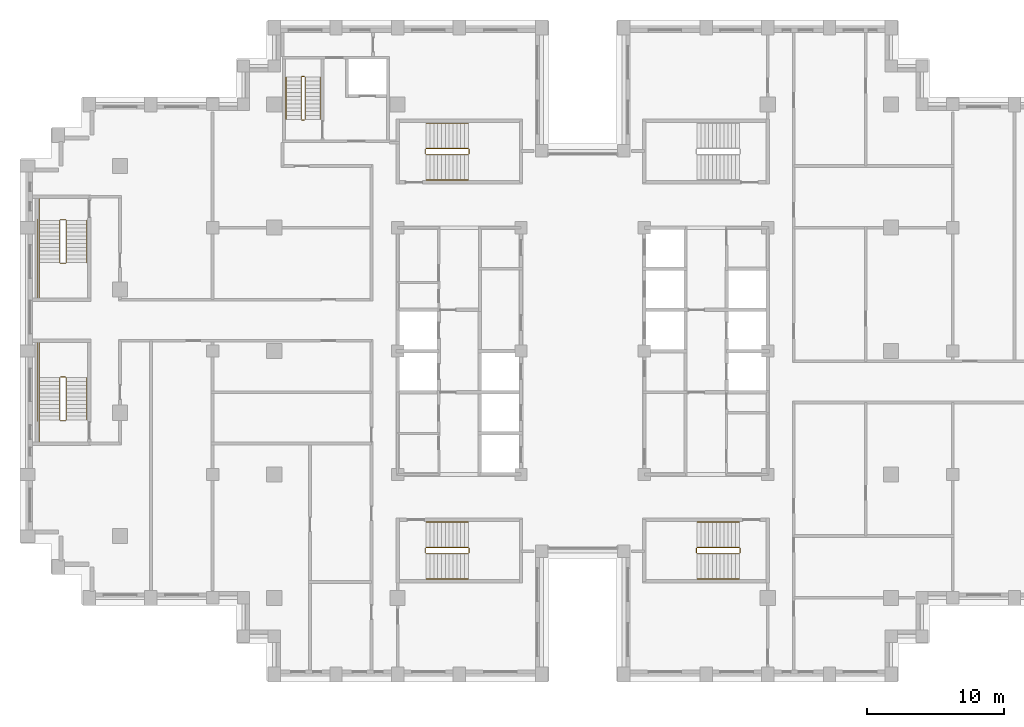
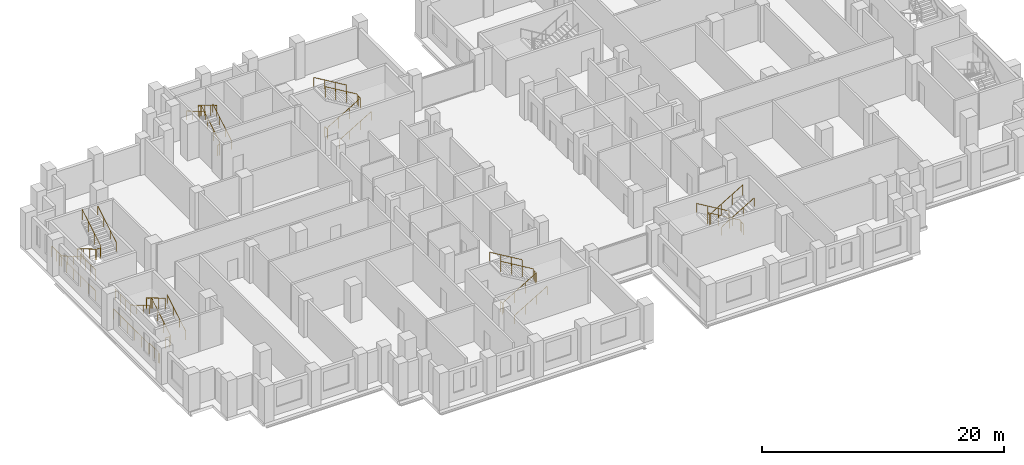
# One storey, part 14 of 15: 6 railings.
"""IFC4 building model written with IfcOpenShell, lengths in metres."""

import ifcopenshell
import ifcopenshell.guid

model = None  # the IFC model being written
_history = None  # IfcOwnerHistory: only IFC2X3 demands one
_inside = {}  # id of a spatial element -> (the spatial element, [elements in it])
_under = {}  # id of a project, library or spatial element -> (it, [spatial elements below it])
_declared = {}  # id of a project -> (the project, [libraries it declares])
_typed = {}  # id of a type object -> (the type object, [elements of that type])
_made_of = {}  # id of a material, layer set ... -> (it, [elements and type objects made of it])


def new_model(schema):
    """Start an empty IFC model of exactly this schema.

    Asked for "IFC4X3", IfcOpenShell would pick the latest addendum, in which some entities
    have other attributes; the version numbers below select the first issue.
    IFC2X3 requires an IfcOwnerHistory on every rooted entity: one is made here for all.
    """
    global model, _history
    if schema == "IFC4X3":
        model = ifcopenshell.file(schema_version=(4, 3, 0, 0))
    else:
        model = ifcopenshell.file(schema=schema)
    _inside.clear()
    _under.clear()
    _declared.clear()
    _typed.clear()
    _made_of.clear()
    _history = None
    if model.schema == "IFC2X3":
        org = make("IfcOrganization", Name="unknown")
        user = make(
            "IfcPersonAndOrganization",
            ThePerson=make("IfcPerson", FamilyName="unknown"),
            TheOrganization=org,
        )
        app = make(
            "IfcApplication",
            ApplicationDeveloper=org,
            Version="unknown",
            ApplicationFullName="unknown",
            ApplicationIdentifier="unknown",
        )
        _history = make(
            "IfcOwnerHistory",
            OwningUser=user,
            OwningApplication=app,
            ChangeAction="ADDED",
            CreationDate=0,
        )
    return model


def make(cls, **values):
    """One entity of the class cls with the attributes given. An attribute that is None is left unset."""
    return model.create_entity(
        cls, **{name: value for name, value in values.items() if value is not None}
    )


def rooted(cls, **values):
    """An entity with a GlobalId (a new one), such as an element, a storey or a relation."""
    return make(cls, GlobalId=ifcopenshell.guid.new(), OwnerHistory=_history, **values)


def si_unit(unit_type, name, prefix=None):
    """IfcSIUnit, for example si_unit("LENGTHUNIT", "METRE", prefix="MILLI")."""
    return make("IfcSIUnit", UnitType=unit_type, Prefix=prefix, Name=name)


def assignment(units):
    """IfcUnitAssignment: the units of a project."""
    return None if units is None else make("IfcUnitAssignment", Units=units)


def point(xyz):
    """IfcCartesianPoint."""
    return None if xyz is None else make("IfcCartesianPoint", Coordinates=xyz)


def direction(xyz):
    """IfcDirection."""
    return None if xyz is None else make("IfcDirection", DirectionRatios=xyz)


def frame(location, z_axis=None, x_axis=None):
    """IfcAxis2Placement3D, a coordinate frame: its origin and axes. An axis left out is left unset."""
    return make(
        "IfcAxis2Placement3D",
        Location=point(location),
        Axis=direction(z_axis),
        RefDirection=direction(x_axis),
    )


def frame_2d(location, x_axis=None):
    """IfcAxis2Placement2D, a coordinate frame in the plane: its origin and x axis."""
    return make(
        "IfcAxis2Placement2D", Location=point(location), RefDirection=direction(x_axis)
    )


def origin():
    """The frame at (0, 0, 0) with its axes left unset."""
    return frame((0.0, 0.0, 0.0))


def origin_2d():
    """The frame at (0, 0) in the plane with its x axis left unset."""
    return frame_2d((0.0, 0.0))


def place(relative_to, where):
    """IfcLocalPlacement: puts the frame where relative to a parent placement (None: the world)."""
    return make(
        "IfcLocalPlacement", PlacementRelTo=relative_to, RelativePlacement=where
    )


def context(
    kind, dimensions, precision=None, world=None, true_north=None, identifier=None
):
    """IfcGeometricRepresentationContext, for example the 3D "Model" context."""
    return make(
        "IfcGeometricRepresentationContext",
        ContextIdentifier=identifier,
        ContextType=kind,
        CoordinateSpaceDimension=dimensions,
        Precision=precision,
        WorldCoordinateSystem=world,
        TrueNorth=true_north,
    )


def subcontext(parent, identifier, kind, view, scale=None):
    """IfcGeometricRepresentationSubContext, for example "Body" below "Model"."""
    return make(
        "IfcGeometricRepresentationSubContext",
        ContextIdentifier=identifier,
        ContextType=kind,
        ParentContext=parent,
        TargetScale=scale,
        TargetView=view,
    )


def project(units=None, contexts=None):
    """IfcProject with its units and contexts."""
    return rooted(
        "IfcProject",
        Name="project",
        RepresentationContexts=contexts,
        UnitsInContext=assignment(units),
    )


def spatial(cls, under=None, at=None, **own):
    """A site, building, storey or space (cls), placed at a placement, below another one or the project."""
    s = rooted(cls, ObjectPlacement=at, **own)
    if under is not None:
        _under.setdefault(under.id(), (under, []))[1].append(s)
    return s


def profile(cls, at=None, kind="AREA", **sizes):
    """A parametric profile (cls). Its sizes go by their IFC names, for example OverallWidth=200.0."""
    return make(cls, ProfileType=kind, Position=at, **sizes)


def circle(**sizes):
    """IfcCircleProfileDef."""
    return profile("IfcCircleProfileDef", **sizes)


def extrude(swept, where, along, depth):
    """IfcExtrudedAreaSolid: the profile swept, set in the frame where, extruded along a direction by depth."""
    return make(
        "IfcExtrudedAreaSolid",
        SweptArea=swept,
        Position=where,
        ExtrudedDirection=direction(along),
        Depth=depth,
    )


def shape(context_of_items, identifier, shape_type, items):
    """IfcShapeRepresentation: the items that make up one representation, for example the "Body"."""
    return make(
        "IfcShapeRepresentation",
        ContextOfItems=context_of_items,
        RepresentationIdentifier=identifier,
        RepresentationType=shape_type,
        Items=items,
    )


def material(Name=None, Category=None):
    """IfcMaterial."""
    return make("IfcMaterial", Name=Name, Category=Category)


def made_of(thing, what):
    """Note that an element or type object is made of a material, layer set ...; save() writes the relation."""
    if what is not None:
        _made_of.setdefault(what.id(), (what, []))[1].append(thing)
    return thing


def type_object(cls, material=None, **own):
    """A type object (cls), such as IfcWallType, which elements share."""
    return made_of(rooted(cls, **own), material)


def element(
    cls,
    number,
    at=None,
    inside=None,
    cuts=None,
    type_object=None,
    material=None,
    context=None,
    identifier="Body",
    shape_type=None,
    held_by="IfcProductDefinitionShape",
    body=None,
    shapes=None,
    **own,
):
    """One element of the class cls, such as IfcWall. Its Tag is "e" and its number.

    at: its placement. inside: the storey or other place that contains it. cuts: it is an
    opening in that element (IfcRelVoidsElement). A single representation is given by context,
    identifier, shape_type and body (its items); several are given by shapes. held_by: the class
    of the entity that holds the representations. save() writes the other relations.
    """
    e = rooted(cls, Tag="e%d" % number, ObjectPlacement=at, **own)
    if body is not None:
        shapes = [shape(context, identifier, shape_type, body)]
    if shapes is not None:
        e.Representation = make(held_by, Representations=shapes)
    if inside is not None:
        _inside.setdefault(inside.id(), (inside, []))[1].append(e)
    if cuts is not None:
        rooted(
            "IfcRelVoidsElement", RelatingBuildingElement=cuts, RelatedOpeningElement=e
        )
    if type_object is not None:
        _typed.setdefault(type_object.id(), (type_object, []))[1].append(e)
    return made_of(e, material)


def aggregate(whole, parts):
    """IfcRelAggregates: a whole, such as a stair, and the parts it consists of."""
    return rooted("IfcRelAggregates", RelatingObject=whole, RelatedObjects=parts)


def save(model, path):
    """Write the relations noted so far, then the file.

    IfcRelAggregates (storeys below a building ...), IfcRelContainedInSpatialStructure (elements
    in a storey), IfcRelDefinesByType, IfcRelAssociatesMaterial and IfcRelDeclares: one each for
    every whole, place, type object, material and project.
    """
    for whole, parts in _under.values():
        aggregate(whole, parts)
    for where, things in _inside.values():
        rooted(
            "IfcRelContainedInSpatialStructure",
            RelatedElements=things,
            RelatingStructure=where,
        )
    for kind, things in _typed.values():
        rooted("IfcRelDefinesByType", RelatedObjects=things, RelatingType=kind)
    for what, things in _made_of.values():
        rooted("IfcRelAssociatesMaterial", RelatedObjects=things, RelatingMaterial=what)
    for by, libraries in _declared.values():
        rooted("IfcRelDeclares", RelatingContext=by, RelatedDefinitions=libraries)
    model.write(path)


model = new_model("IFC4")

# Units and contexts
model_context = context("Model", 3, precision=1e-05, world=origin(), true_north=direction((0.0, 1.0)))
body_context = subcontext(model_context, "Body", "Model", "MODEL_VIEW")
ifc_project = project(units=[si_unit("LENGTHUNIT", "METRE"), si_unit("AREAUNIT", "SQUARE_METRE"), si_unit("VOLUMEUNIT", "CUBIC_METRE"), si_unit("PLANEANGLEUNIT", "RADIAN"), si_unit("MASSUNIT", "GRAM", prefix="KILO")], contexts=[model_context])

# Site, building, storey
site_placement = place(None, origin())
site = spatial("IfcSite", under=ifc_project, at=site_placement, CompositionType="ELEMENT")
building_placement = place(site_placement, origin())
building = spatial("IfcBuilding", under=site, at=building_placement, Name="Corbelhall Arena Tower", CompositionType="ELEMENT")
storey_placement = place(building_placement, frame((0.0, 0.0, 134.0)))
storey = spatial("IfcBuildingStorey", under=building, at=storey_placement, Name="L25", CompositionType="ELEMENT", Elevation=134.0)

# Railings
ifc_material = material(Name="Steel ASTM A500 Gr C", Category="steel")
railing_type = type_object("IfcRailingType", Name="IN-GD-1100", PredefinedType="GUARDRAIL", material=ifc_material)
railing_1_placement = place(storey_placement, frame((-11.425048828125, 14.324951171875, 0.166748046875)))
element("IfcRailing", 1, at=railing_1_placement, inside=storey, type_object=railing_type, Name="L25 ST1 stair guards and handrails", PredefinedType="GUARDRAIL", context=body_context, shape_type="SweptSolid", body=[
    extrude(circle(Radius=0.02392578125, at=origin_2d()), frame((0.0, 0.0, 1.076171875), z_axis=(0.859308565015, 0.0, 0.511457515432), x_axis=(0.0, 1.0, 0.0)), (0.0, 0.0, 1.0), 3.58447265625),
    extrude(circle(Radius=0.02392578125, at=origin_2d()), frame((3.130126953125, 0.050048828125, 2.9091796875), z_axis=(0.0, 1.0, 0.0), x_axis=(-1.0, 0.0, 0.0)), (0.0, 0.0, 1.0), 0.35009765625),
    extrude(circle(Radius=0.02392578125, at=origin_2d()), frame((3.080078125, 0.449951171875, 3.076171875), z_axis=(-0.859308565015, 0.0, 0.511457515432), x_axis=(0.0, -1.0, 0.0)), (0.0, 0.0, 1.0), 3.58447265625),
    extrude(circle(Radius=0.02392578125, at=origin_2d()), frame((-0.050048828125, 0.050048828125, 0.9091796875), z_axis=(0.0, 1.0, 0.0), x_axis=(-1.0, 0.0, 0.0)), (0.0, 0.0, 1.0), 0.35009765625),
    extrude(circle(Radius=0.02392578125, at=origin_2d()), frame((0.0, -1.849853515625, 0.8759765625), z_axis=(0.859308565015, 0.0, 0.511457515432), x_axis=(0.0, 1.0, 0.0)), (0.0, 0.0, 1.0), 3.58447265625),
    extrude(circle(Radius=0.02392578125, at=origin_2d()), frame((3.080078125, 2.300048828125, 2.8759765625), z_axis=(-0.859308565015, 0.0, 0.511457515432), x_axis=(0.0, -1.0, 0.0)), (0.0, 0.0, 1.0), 3.58447265625),
    extrude(circle(Radius=0.02099609375, at=origin_2d()), origin(), (0.0, 0.0, 1.0), 1.052001953125),
    extrude(circle(Radius=0.02099609375, at=origin_2d()), frame((1.026611328125, 0.0, 0.611083984375)), (0.0, 0.0, 1.0), 1.052001953125),
    extrude(circle(Radius=0.02099609375, at=origin_2d()), frame((2.053466796875, 0.0, 1.22216796875)), (0.0, 0.0, 1.0), 1.052001953125),
    extrude(circle(Radius=0.02099609375, at=origin_2d()), frame((3.080078125, 0.0, 1.833251953125)), (0.0, 0.0, 1.0), 1.052001953125),
    extrude(circle(Radius=0.02099609375, at=origin_2d()), frame((3.130126953125, 0.050048828125, 1.833251953125)), (0.0, 0.0, 1.0), 1.052001953125),
    extrude(circle(Radius=0.02099609375, at=origin_2d()), frame((3.130126953125, 0.400146484375, 1.833251953125)), (0.0, 0.0, 1.0), 1.052001953125),
    extrude(circle(Radius=0.02099609375, at=origin_2d()), frame((3.080078125, 0.449951171875, 2.0)), (0.0, 0.0, 1.0), 1.052001953125),
    extrude(circle(Radius=0.02099609375, at=origin_2d()), frame((2.053466796875, 0.449951171875, 2.611083984375)), (0.0, 0.0, 1.0), 1.052001953125),
    extrude(circle(Radius=0.02099609375, at=origin_2d()), frame((1.026611328125, 0.449951171875, 3.22216796875)), (0.0, 0.0, 1.0), 1.052001953125),
    extrude(circle(Radius=0.02099609375, at=origin_2d()), frame((0.0, 0.449951171875, 3.833251953125)), (0.0, 0.0, 1.0), 1.052001953125),
    extrude(circle(Radius=0.02099609375, at=origin_2d()), frame((-0.050048828125, 0.050048828125, -0.166748046875)), (0.0, 0.0, 1.0), 1.052001953125),
    extrude(circle(Radius=0.02099609375, at=origin_2d()), frame((-0.050048828125, 0.400146484375, -0.166748046875)), (0.0, 0.0, 1.0), 1.052001953125),
    extrude(circle(Radius=0.02099609375, at=origin_2d()), frame((0.0, -1.849853515625, 0.0)), (0.0, 0.0, 1.0), 0.851806640625),
    extrude(circle(Radius=0.02099609375, at=origin_2d()), frame((1.026611328125, -1.849853515625, 0.611083984375)), (0.0, 0.0, 1.0), 0.851806640625),
    extrude(circle(Radius=0.02099609375, at=origin_2d()), frame((2.053466796875, -1.849853515625, 1.22216796875)), (0.0, 0.0, 1.0), 0.851806640625),
    extrude(circle(Radius=0.02099609375, at=origin_2d()), frame((3.080078125, -1.849853515625, 1.833251953125)), (0.0, 0.0, 1.0), 0.851806640625),
    extrude(circle(Radius=0.02099609375, at=origin_2d()), frame((3.080078125, 2.300048828125, 2.0)), (0.0, 0.0, 1.0), 0.851806640625),
    extrude(circle(Radius=0.02099609375, at=origin_2d()), frame((2.053466796875, 2.300048828125, 2.611083984375)), (0.0, 0.0, 1.0), 0.851806640625),
    extrude(circle(Radius=0.02099609375, at=origin_2d()), frame((1.026611328125, 2.300048828125, 3.22216796875)), (0.0, 0.0, 1.0), 0.851806640625),
    extrude(circle(Radius=0.02099609375, at=origin_2d()), frame((0.0, 2.300048828125, 3.833251953125)), (0.0, 0.0, 1.0), 0.851806640625),
])
railing_2_placement = place(storey_placement, frame((-11.425048828125, -14.77490234375, 0.166748046875)))
element("IfcRailing", 2, at=railing_2_placement, inside=storey, type_object=railing_type, Name="L25 ST2 stair guards and handrails", PredefinedType="GUARDRAIL", context=body_context, shape_type="SweptSolid", body=[
    extrude(circle(Radius=0.02392578125, at=origin_2d()), frame((0.0, 0.0, 1.076171875), z_axis=(0.859308565015, 0.0, 0.511457515432), x_axis=(0.0, 1.0, 0.0)), (0.0, 0.0, 1.0), 3.58447265625),
    extrude(circle(Radius=0.02392578125, at=origin_2d()), frame((3.130126953125, 0.0498046875, 2.9091796875), z_axis=(0.0, 1.0, 0.0), x_axis=(-1.0, 0.0, 0.0)), (0.0, 0.0, 1.0), 0.35009765625),
    extrude(circle(Radius=0.02392578125, at=origin_2d()), frame((3.080078125, 0.449951171875, 3.076171875), z_axis=(-0.859308565015, 0.0, 0.511457515432), x_axis=(0.0, -1.0, 0.0)), (0.0, 0.0, 1.0), 3.58447265625),
    extrude(circle(Radius=0.02392578125, at=origin_2d()), frame((-0.050048828125, 0.0498046875, 0.9091796875), z_axis=(0.0, 1.0, 0.0), x_axis=(-1.0, 0.0, 0.0)), (0.0, 0.0, 1.0), 0.35009765625),
    extrude(circle(Radius=0.02392578125, at=origin_2d()), frame((0.0, -1.85009765625, 0.8759765625), z_axis=(0.859308565015, 0.0, 0.511457515432), x_axis=(0.0, 1.0, 0.0)), (0.0, 0.0, 1.0), 3.58447265625),
    extrude(circle(Radius=0.02392578125, at=origin_2d()), frame((3.080078125, 2.2998046875, 2.8759765625), z_axis=(-0.859308565015, 0.0, 0.511457515432), x_axis=(0.0, -1.0, 0.0)), (0.0, 0.0, 1.0), 3.58447265625),
    extrude(circle(Radius=0.02099609375, at=origin_2d()), origin(), (0.0, 0.0, 1.0), 1.052001953125),
    extrude(circle(Radius=0.02099609375, at=origin_2d()), frame((1.026611328125, 0.0, 0.611083984375)), (0.0, 0.0, 1.0), 1.052001953125),
    extrude(circle(Radius=0.02099609375, at=origin_2d()), frame((2.053466796875, 0.0, 1.22216796875)), (0.0, 0.0, 1.0), 1.052001953125),
    extrude(circle(Radius=0.02099609375, at=origin_2d()), frame((3.080078125, 0.0, 1.833251953125)), (0.0, 0.0, 1.0), 1.052001953125),
    extrude(circle(Radius=0.02099609375, at=origin_2d()), frame((3.130126953125, 0.0498046875, 1.833251953125)), (0.0, 0.0, 1.0), 1.052001953125),
    extrude(circle(Radius=0.02099609375, at=origin_2d()), frame((3.130126953125, 0.39990234375, 1.833251953125)), (0.0, 0.0, 1.0), 1.052001953125),
    extrude(circle(Radius=0.02099609375, at=origin_2d()), frame((3.080078125, 0.449951171875, 2.0)), (0.0, 0.0, 1.0), 1.052001953125),
    extrude(circle(Radius=0.02099609375, at=origin_2d()), frame((2.053466796875, 0.449951171875, 2.611083984375)), (0.0, 0.0, 1.0), 1.052001953125),
    extrude(circle(Radius=0.02099609375, at=origin_2d()), frame((1.026611328125, 0.449951171875, 3.22216796875)), (0.0, 0.0, 1.0), 1.052001953125),
    extrude(circle(Radius=0.02099609375, at=origin_2d()), frame((0.0, 0.449951171875, 3.833251953125)), (0.0, 0.0, 1.0), 1.052001953125),
    extrude(circle(Radius=0.02099609375, at=origin_2d()), frame((-0.050048828125, 0.0498046875, -0.166748046875)), (0.0, 0.0, 1.0), 1.052001953125),
    extrude(circle(Radius=0.02099609375, at=origin_2d()), frame((-0.050048828125, 0.39990234375, -0.166748046875)), (0.0, 0.0, 1.0), 1.052001953125),
    extrude(circle(Radius=0.02099609375, at=origin_2d()), frame((0.0, -1.85009765625, 0.0)), (0.0, 0.0, 1.0), 0.851806640625),
    extrude(circle(Radius=0.02099609375, at=origin_2d()), frame((1.026611328125, -1.85009765625, 0.611083984375)), (0.0, 0.0, 1.0), 0.851806640625),
    extrude(circle(Radius=0.02099609375, at=origin_2d()), frame((2.053466796875, -1.85009765625, 1.22216796875)), (0.0, 0.0, 1.0), 0.851806640625),
    extrude(circle(Radius=0.02099609375, at=origin_2d()), frame((3.080078125, -1.85009765625, 1.833251953125)), (0.0, 0.0, 1.0), 0.851806640625),
    extrude(circle(Radius=0.02099609375, at=origin_2d()), frame((3.080078125, 2.2998046875, 2.0)), (0.0, 0.0, 1.0), 0.851806640625),
    extrude(circle(Radius=0.02099609375, at=origin_2d()), frame((2.053466796875, 2.2998046875, 2.611083984375)), (0.0, 0.0, 1.0), 0.851806640625),
    extrude(circle(Radius=0.02099609375, at=origin_2d()), frame((1.026611328125, 2.2998046875, 3.22216796875)), (0.0, 0.0, 1.0), 0.851806640625),
    extrude(circle(Radius=0.02099609375, at=origin_2d()), frame((0.0, 2.2998046875, 3.833251953125)), (0.0, 0.0, 1.0), 0.851806640625),
])
railing_3_placement = place(storey_placement, frame((11.425048828125, -14.324951171875, 0.166748046875)))
element("IfcRailing", 3, at=railing_3_placement, inside=storey, type_object=railing_type, Name="L25 ST4 stair guards and handrails", PredefinedType="GUARDRAIL", context=body_context, shape_type="SweptSolid", body=[
    extrude(circle(Radius=0.02392578125, at=origin_2d()), frame((0.0, 0.0, 1.076171875), z_axis=(-0.859308565015, 0.0, 0.511457515432), x_axis=(0.0, -1.0, 0.0)), (0.0, 0.0, 1.0), 3.58447265625),
    extrude(circle(Radius=0.02392578125, at=origin_2d()), frame((-3.130126953125, -0.050048828125, 2.9091796875), z_axis=(0.0, -1.0, 0.0), x_axis=(1.0, 0.0, 0.0)), (0.0, 0.0, 1.0), 0.35009765625),
    extrude(circle(Radius=0.02392578125, at=origin_2d()), frame((-3.080078125, -0.449951171875, 3.076171875), z_axis=(0.859308565015, 0.0, 0.511457515432), x_axis=(0.0, 1.0, 0.0)), (0.0, 0.0, 1.0), 3.58447265625),
    extrude(circle(Radius=0.02392578125, at=origin_2d()), frame((0.050048828125, -0.050048828125, 0.9091796875), z_axis=(0.0, -1.0, 0.0), x_axis=(1.0, 0.0, 0.0)), (0.0, 0.0, 1.0), 0.35009765625),
    extrude(circle(Radius=0.02392578125, at=origin_2d()), frame((0.0, 1.849853515625, 0.8759765625), z_axis=(-0.859308565015, 0.0, 0.511457515432), x_axis=(0.0, -1.0, 0.0)), (0.0, 0.0, 1.0), 3.58447265625),
    extrude(circle(Radius=0.02392578125, at=origin_2d()), frame((-3.080078125, -2.300048828125, 2.8759765625), z_axis=(0.859308565015, 0.0, 0.511457515432), x_axis=(0.0, 1.0, 0.0)), (0.0, 0.0, 1.0), 3.58447265625),
    extrude(circle(Radius=0.02099609375, at=origin_2d()), origin(), (0.0, 0.0, 1.0), 1.052001953125),
    extrude(circle(Radius=0.02099609375, at=origin_2d()), frame((-1.026611328125, 0.0, 0.611083984375)), (0.0, 0.0, 1.0), 1.052001953125),
    extrude(circle(Radius=0.02099609375, at=origin_2d()), frame((-2.053466796875, 0.0, 1.22216796875)), (0.0, 0.0, 1.0), 1.052001953125),
    extrude(circle(Radius=0.02099609375, at=origin_2d()), frame((-3.080078125, 0.0, 1.833251953125)), (0.0, 0.0, 1.0), 1.052001953125),
    extrude(circle(Radius=0.02099609375, at=origin_2d()), frame((-3.130126953125, -0.050048828125, 1.833251953125)), (0.0, 0.0, 1.0), 1.052001953125),
    extrude(circle(Radius=0.02099609375, at=origin_2d()), frame((-3.130126953125, -0.400146484375, 1.833251953125)), (0.0, 0.0, 1.0), 1.052001953125),
    extrude(circle(Radius=0.02099609375, at=origin_2d()), frame((-3.080078125, -0.449951171875, 2.0)), (0.0, 0.0, 1.0), 1.052001953125),
    extrude(circle(Radius=0.02099609375, at=origin_2d()), frame((-2.053466796875, -0.449951171875, 2.611083984375)), (0.0, 0.0, 1.0), 1.052001953125),
    extrude(circle(Radius=0.02099609375, at=origin_2d()), frame((-1.026611328125, -0.449951171875, 3.22216796875)), (0.0, 0.0, 1.0), 1.052001953125),
    extrude(circle(Radius=0.02099609375, at=origin_2d()), frame((0.0, -0.449951171875, 3.833251953125)), (0.0, 0.0, 1.0), 1.052001953125),
    extrude(circle(Radius=0.02099609375, at=origin_2d()), frame((0.050048828125, -0.050048828125, -0.166748046875)), (0.0, 0.0, 1.0), 1.052001953125),
    extrude(circle(Radius=0.02099609375, at=origin_2d()), frame((0.050048828125, -0.400146484375, -0.166748046875)), (0.0, 0.0, 1.0), 1.052001953125),
    extrude(circle(Radius=0.02099609375, at=origin_2d()), frame((0.0, 1.849853515625, 0.0)), (0.0, 0.0, 1.0), 0.851806640625),
    extrude(circle(Radius=0.02099609375, at=origin_2d()), frame((-1.026611328125, 1.849853515625, 0.611083984375)), (0.0, 0.0, 1.0), 0.851806640625),
    extrude(circle(Radius=0.02099609375, at=origin_2d()), frame((-2.053466796875, 1.849853515625, 1.22216796875)), (0.0, 0.0, 1.0), 0.851806640625),
    extrude(circle(Radius=0.02099609375, at=origin_2d()), frame((-3.080078125, 1.849853515625, 1.833251953125)), (0.0, 0.0, 1.0), 0.851806640625),
    extrude(circle(Radius=0.02099609375, at=origin_2d()), frame((-3.080078125, -2.300048828125, 2.0)), (0.0, 0.0, 1.0), 0.851806640625),
    extrude(circle(Radius=0.02099609375, at=origin_2d()), frame((-2.053466796875, -2.300048828125, 2.611083984375)), (0.0, 0.0, 1.0), 0.851806640625),
    extrude(circle(Radius=0.02099609375, at=origin_2d()), frame((-1.026611328125, -2.300048828125, 3.22216796875)), (0.0, 0.0, 1.0), 0.851806640625),
    extrude(circle(Radius=0.02099609375, at=origin_2d()), frame((0.0, -2.300048828125, 3.833251953125)), (0.0, 0.0, 1.0), 0.851806640625),
])
railing_4_placement = place(storey_placement, frame((-38.14990234375, 9.52490234375, 0.166748046875)))
element("IfcRailing", 4, at=railing_4_placement, inside=storey, type_object=railing_type, Name="L25 SC1 stair guards and handrails", PredefinedType="GUARDRAIL", context=body_context, shape_type="SweptSolid", body=[
    extrude(circle(Radius=0.02392578125, at=origin_2d()), frame((0.0, 0.0, 1.076171875), z_axis=(0.0, -0.859290745958, 0.51148745235), x_axis=(1.0, 0.0, 0.0)), (0.0, 0.0, 1.0), 3.584228515625),
    extrude(circle(Radius=0.02392578125, at=origin_2d()), frame((0.0498046875, -3.1298828125, 2.9091796875), z_axis=(1.0, 0.0, 0.0), x_axis=(0.0, 1.0, 0.0)), (0.0, 0.0, 1.0), 0.375),
    extrude(circle(Radius=0.02392578125, at=origin_2d()), frame((-1.5, -3.079833984375, 2.9091796875), z_axis=(0.0, -1.0, 0.0), x_axis=(1.0, 0.0, 0.0)), (0.0, 0.0, 1.0), 2.570068359375),
    extrude(circle(Radius=0.02392578125, at=origin_2d()), frame((0.474853515625, -3.079833984375, 3.076171875), z_axis=(0.0, 0.859290745958, 0.51148745235), x_axis=(-1.0, 0.0, 0.0)), (0.0, 0.0, 1.0), 3.584228515625),
    extrude(circle(Radius=0.02392578125, at=origin_2d()), frame((0.0498046875, 0.050048828125, 0.9091796875), z_axis=(1.0, 0.0, 0.0), x_axis=(0.0, 1.0, 0.0)), (0.0, 0.0, 1.0), 0.375),
    extrude(circle(Radius=0.02392578125, at=origin_2d()), frame((-1.5, 1.60009765625, 0.9091796875), z_axis=(0.0, -1.0, 0.0), x_axis=(1.0, 0.0, 0.0)), (0.0, 0.0, 1.0), 1.60009765625),
    extrude(circle(Radius=0.02392578125, at=origin_2d()), frame((-1.60009765625, 0.10009765625, 0.9091796875), z_axis=(0.0, -1.0, 0.0), x_axis=(1.0, 0.0, 0.0)), (0.0, 0.0, 1.0), 5.85009765625),
    extrude(circle(Radius=0.02392578125, at=origin_2d()), frame((-1.5, 0.0, 0.8759765625), z_axis=(0.0, -0.859290745958, 0.51148745235), x_axis=(1.0, 0.0, 0.0)), (0.0, 0.0, 1.0), 3.584228515625),
    extrude(circle(Radius=0.02392578125, at=origin_2d()), frame((1.974853515625, -3.079833984375, 2.8759765625), z_axis=(0.0, 0.859290745958, 0.51148745235), x_axis=(-1.0, 0.0, 0.0)), (0.0, 0.0, 1.0), 3.584228515625),
    extrude(circle(Radius=0.02099609375, at=origin_2d()), origin(), (0.0, 0.0, 1.0), 1.052001953125),
    extrude(circle(Radius=0.02099609375, at=origin_2d()), frame((0.0, -1.026611328125, 0.611083984375)), (0.0, 0.0, 1.0), 1.052001953125),
    extrude(circle(Radius=0.02099609375, at=origin_2d()), frame((0.0, -2.05322265625, 1.22216796875)), (0.0, 0.0, 1.0), 1.052001953125),
    extrude(circle(Radius=0.02099609375, at=origin_2d()), frame((0.0, -3.079833984375, 1.833251953125)), (0.0, 0.0, 1.0), 1.052001953125),
    extrude(circle(Radius=0.02099609375, at=origin_2d()), frame((0.0498046875, -3.1298828125, 1.833251953125)), (0.0, 0.0, 1.0), 1.052001953125),
    extrude(circle(Radius=0.02099609375, at=origin_2d()), frame((0.4248046875, -3.1298828125, 1.833251953125)), (0.0, 0.0, 1.0), 1.052001953125),
    extrude(circle(Radius=0.02099609375, at=origin_2d()), frame((-1.5, -3.079833984375, 1.833251953125)), (0.0, 0.0, 1.0), 1.052001953125),
    extrude(circle(Radius=0.02099609375, at=origin_2d()), frame((-1.5, -3.9365234375, 1.833251953125)), (0.0, 0.0, 1.0), 1.052001953125),
    extrude(circle(Radius=0.02099609375, at=origin_2d()), frame((-1.5, -4.793212890625, 1.833251953125)), (0.0, 0.0, 1.0), 1.052001953125),
    extrude(circle(Radius=0.02099609375, at=origin_2d()), frame((-1.5, -5.64990234375, 1.833251953125)), (0.0, 0.0, 1.0), 1.052001953125),
    extrude(circle(Radius=0.02099609375, at=origin_2d()), frame((0.474853515625, -3.079833984375, 2.0)), (0.0, 0.0, 1.0), 1.052001953125),
    extrude(circle(Radius=0.02099609375, at=origin_2d()), frame((0.474853515625, -2.05322265625, 2.611083984375)), (0.0, 0.0, 1.0), 1.052001953125),
    extrude(circle(Radius=0.02099609375, at=origin_2d()), frame((0.474853515625, -1.026611328125, 3.22216796875)), (0.0, 0.0, 1.0), 1.052001953125),
    extrude(circle(Radius=0.02099609375, at=origin_2d()), frame((0.474853515625, 0.0, 3.833251953125)), (0.0, 0.0, 1.0), 1.052001953125),
    extrude(circle(Radius=0.02099609375, at=origin_2d()), frame((0.0498046875, 0.050048828125, -0.166748046875)), (0.0, 0.0, 1.0), 1.052001953125),
    extrude(circle(Radius=0.02099609375, at=origin_2d()), frame((0.4248046875, 0.050048828125, -0.166748046875)), (0.0, 0.0, 1.0), 1.052001953125),
    extrude(circle(Radius=0.02099609375, at=origin_2d()), frame((-1.5, 1.60009765625, -0.166748046875)), (0.0, 0.0, 1.0), 1.052001953125),
    extrude(circle(Radius=0.02099609375, at=origin_2d()), frame((-1.5, 0.800048828125, -0.166748046875)), (0.0, 0.0, 1.0), 1.052001953125),
    extrude(circle(Radius=0.02099609375, at=origin_2d()), frame((-1.5, 0.0, -0.166748046875)), (0.0, 0.0, 1.0), 1.052001953125),
    extrude(circle(Radius=0.02099609375, at=origin_2d()), frame((-1.60009765625, 0.10009765625, -0.166748046875)), (0.0, 0.0, 1.0), 1.052001953125),
    extrude(circle(Radius=0.02099609375, at=origin_2d()), frame((-1.60009765625, -1.06982421875, -0.166748046875)), (0.0, 0.0, 1.0), 1.052001953125),
    extrude(circle(Radius=0.02099609375, at=origin_2d()), frame((-1.60009765625, -2.239990234375, -0.166748046875)), (0.0, 0.0, 1.0), 1.052001953125),
    extrude(circle(Radius=0.02099609375, at=origin_2d()), frame((-1.60009765625, -3.409912109375, -0.166748046875)), (0.0, 0.0, 1.0), 1.052001953125),
    extrude(circle(Radius=0.02099609375, at=origin_2d()), frame((-1.60009765625, -4.580078125, -0.166748046875)), (0.0, 0.0, 1.0), 1.052001953125),
    extrude(circle(Radius=0.02099609375, at=origin_2d()), frame((-1.60009765625, -5.75, -0.166748046875)), (0.0, 0.0, 1.0), 1.052001953125),
    extrude(circle(Radius=0.02099609375, at=origin_2d()), frame((-1.5, 0.0, 0.0)), (0.0, 0.0, 1.0), 0.851806640625),
    extrude(circle(Radius=0.02099609375, at=origin_2d()), frame((-1.5, -1.026611328125, 0.611083984375)), (0.0, 0.0, 1.0), 0.851806640625),
    extrude(circle(Radius=0.02099609375, at=origin_2d()), frame((-1.5, -2.05322265625, 1.22216796875)), (0.0, 0.0, 1.0), 0.851806640625),
    extrude(circle(Radius=0.02099609375, at=origin_2d()), frame((1.974853515625, -3.079833984375, 2.0)), (0.0, 0.0, 1.0), 0.851806640625),
    extrude(circle(Radius=0.02099609375, at=origin_2d()), frame((1.974853515625, -2.05322265625, 2.611083984375)), (0.0, 0.0, 1.0), 0.851806640625),
    extrude(circle(Radius=0.02099609375, at=origin_2d()), frame((1.974853515625, -1.026611328125, 3.22216796875)), (0.0, 0.0, 1.0), 0.851806640625),
    extrude(circle(Radius=0.02099609375, at=origin_2d()), frame((1.974853515625, 0.0, 3.833251953125)), (0.0, 0.0, 1.0), 0.851806640625),
])
railing_5_placement = place(storey_placement, frame((-37.675048828125, -5.02490234375, 0.166748046875)))
element("IfcRailing", 5, at=railing_5_placement, inside=storey, type_object=railing_type, Name="L25 SC2 stair guards and handrails", PredefinedType="GUARDRAIL", context=body_context, shape_type="SweptSolid", body=[
    extrude(circle(Radius=0.02392578125, at=origin_2d()), frame((0.0, 0.0, 1.076171875), z_axis=(0.0, 0.859290745958, 0.51148745235), x_axis=(-1.0, 0.0, 0.0)), (0.0, 0.0, 1.0), 3.584228515625),
    extrude(circle(Radius=0.02392578125, at=origin_2d()), frame((-0.050048828125, 3.1298828125, 2.9091796875), z_axis=(-1.0, 0.0, 0.0), x_axis=(0.0, -1.0, 0.0)), (0.0, 0.0, 1.0), 0.375),
    extrude(circle(Radius=0.02392578125, at=origin_2d()), frame((-1.974853515625, 3.079833984375, 2.9091796875), z_axis=(0.0, 1.0, 0.0), x_axis=(-1.0, 0.0, 0.0)), (0.0, 0.0, 1.0), 2.570068359375),
    extrude(circle(Radius=0.02392578125, at=origin_2d()), frame((-0.474853515625, 3.079833984375, 3.076171875), z_axis=(0.0, -0.859290745958, 0.51148745235), x_axis=(1.0, 0.0, 0.0)), (0.0, 0.0, 1.0), 3.584228515625),
    extrude(circle(Radius=0.02392578125, at=origin_2d()), frame((-0.050048828125, -0.050048828125, 0.9091796875), z_axis=(-1.0, 0.0, 0.0), x_axis=(0.0, -1.0, 0.0)), (0.0, 0.0, 1.0), 0.375),
    extrude(circle(Radius=0.02392578125, at=origin_2d()), frame((-1.974853515625, -1.60009765625, 0.9091796875), z_axis=(0.0, 1.0, 0.0), x_axis=(-1.0, 0.0, 0.0)), (0.0, 0.0, 1.0), 1.60009765625),
    extrude(circle(Radius=0.02392578125, at=origin_2d()), frame((-2.074951171875, -0.10009765625, 0.9091796875), z_axis=(0.0, 1.0, 0.0), x_axis=(-1.0, 0.0, 0.0)), (0.0, 0.0, 1.0), 5.85009765625),
    extrude(circle(Radius=0.02392578125, at=origin_2d()), frame((1.5, 0.0, 0.8759765625), z_axis=(0.0, 0.859290745958, 0.51148745235), x_axis=(-1.0, 0.0, 0.0)), (0.0, 0.0, 1.0), 3.584228515625),
    extrude(circle(Radius=0.02392578125, at=origin_2d()), frame((-1.974853515625, 3.079833984375, 2.8759765625), z_axis=(0.0, -0.859290745958, 0.51148745235), x_axis=(1.0, 0.0, 0.0)), (0.0, 0.0, 1.0), 3.584228515625),
    extrude(circle(Radius=0.02099609375, at=origin_2d()), origin(), (0.0, 0.0, 1.0), 1.052001953125),
    extrude(circle(Radius=0.02099609375, at=origin_2d()), frame((0.0, 1.026611328125, 0.611083984375)), (0.0, 0.0, 1.0), 1.052001953125),
    extrude(circle(Radius=0.02099609375, at=origin_2d()), frame((0.0, 2.05322265625, 1.22216796875)), (0.0, 0.0, 1.0), 1.052001953125),
    extrude(circle(Radius=0.02099609375, at=origin_2d()), frame((0.0, 3.079833984375, 1.833251953125)), (0.0, 0.0, 1.0), 1.052001953125),
    extrude(circle(Radius=0.02099609375, at=origin_2d()), frame((-0.050048828125, 3.1298828125, 1.833251953125)), (0.0, 0.0, 1.0), 1.052001953125),
    extrude(circle(Radius=0.02099609375, at=origin_2d()), frame((-0.425048828125, 3.1298828125, 1.833251953125)), (0.0, 0.0, 1.0), 1.052001953125),
    extrude(circle(Radius=0.02099609375, at=origin_2d()), frame((-1.974853515625, 3.079833984375, 1.833251953125)), (0.0, 0.0, 1.0), 1.052001953125),
    extrude(circle(Radius=0.02099609375, at=origin_2d()), frame((-1.974853515625, 3.9365234375, 1.833251953125)), (0.0, 0.0, 1.0), 1.052001953125),
    extrude(circle(Radius=0.02099609375, at=origin_2d()), frame((-1.974853515625, 4.793212890625, 1.833251953125)), (0.0, 0.0, 1.0), 1.052001953125),
    extrude(circle(Radius=0.02099609375, at=origin_2d()), frame((-1.974853515625, 5.64990234375, 1.833251953125)), (0.0, 0.0, 1.0), 1.052001953125),
    extrude(circle(Radius=0.02099609375, at=origin_2d()), frame((-0.474853515625, 3.079833984375, 2.0)), (0.0, 0.0, 1.0), 1.052001953125),
    extrude(circle(Radius=0.02099609375, at=origin_2d()), frame((-0.474853515625, 2.05322265625, 2.611083984375)), (0.0, 0.0, 1.0), 1.052001953125),
    extrude(circle(Radius=0.02099609375, at=origin_2d()), frame((-0.474853515625, 1.026611328125, 3.22216796875)), (0.0, 0.0, 1.0), 1.052001953125),
    extrude(circle(Radius=0.02099609375, at=origin_2d()), frame((-0.474853515625, 0.0, 3.833251953125)), (0.0, 0.0, 1.0), 1.052001953125),
    extrude(circle(Radius=0.02099609375, at=origin_2d()), frame((-0.050048828125, -0.050048828125, -0.166748046875)), (0.0, 0.0, 1.0), 1.052001953125),
    extrude(circle(Radius=0.02099609375, at=origin_2d()), frame((-0.425048828125, -0.050048828125, -0.166748046875)), (0.0, 0.0, 1.0), 1.052001953125),
    extrude(circle(Radius=0.02099609375, at=origin_2d()), frame((-1.974853515625, -1.60009765625, -0.166748046875)), (0.0, 0.0, 1.0), 1.052001953125),
    extrude(circle(Radius=0.02099609375, at=origin_2d()), frame((-1.974853515625, -0.800048828125, -0.166748046875)), (0.0, 0.0, 1.0), 1.052001953125),
    extrude(circle(Radius=0.02099609375, at=origin_2d()), frame((-1.974853515625, 0.0, -0.166748046875)), (0.0, 0.0, 1.0), 1.052001953125),
    extrude(circle(Radius=0.02099609375, at=origin_2d()), frame((-2.074951171875, -0.10009765625, -0.166748046875)), (0.0, 0.0, 1.0), 1.052001953125),
    extrude(circle(Radius=0.02099609375, at=origin_2d()), frame((-2.074951171875, 1.06982421875, -0.166748046875)), (0.0, 0.0, 1.0), 1.052001953125),
    extrude(circle(Radius=0.02099609375, at=origin_2d()), frame((-2.074951171875, 2.239990234375, -0.166748046875)), (0.0, 0.0, 1.0), 1.052001953125),
    extrude(circle(Radius=0.02099609375, at=origin_2d()), frame((-2.074951171875, 3.409912109375, -0.166748046875)), (0.0, 0.0, 1.0), 1.052001953125),
    extrude(circle(Radius=0.02099609375, at=origin_2d()), frame((-2.074951171875, 4.580078125, -0.166748046875)), (0.0, 0.0, 1.0), 1.052001953125),
    extrude(circle(Radius=0.02099609375, at=origin_2d()), frame((-2.074951171875, 5.75, -0.166748046875)), (0.0, 0.0, 1.0), 1.052001953125),
    extrude(circle(Radius=0.02099609375, at=origin_2d()), frame((1.5, 0.0, 0.0)), (0.0, 0.0, 1.0), 0.851806640625),
    extrude(circle(Radius=0.02099609375, at=origin_2d()), frame((1.5, 1.026611328125, 0.611083984375)), (0.0, 0.0, 1.0), 0.851806640625),
    extrude(circle(Radius=0.02099609375, at=origin_2d()), frame((1.5, 2.05322265625, 1.22216796875)), (0.0, 0.0, 1.0), 0.851806640625),
    extrude(circle(Radius=0.02099609375, at=origin_2d()), frame((1.5, 3.079833984375, 1.833251953125)), (0.0, 0.0, 1.0), 0.851806640625),
    extrude(circle(Radius=0.02099609375, at=origin_2d()), frame((-1.974853515625, 3.079833984375, 2.0)), (0.0, 0.0, 1.0), 0.851806640625),
    extrude(circle(Radius=0.02099609375, at=origin_2d()), frame((-1.974853515625, 2.05322265625, 2.611083984375)), (0.0, 0.0, 1.0), 0.851806640625),
    extrude(circle(Radius=0.02099609375, at=origin_2d()), frame((-1.974853515625, 1.026611328125, 3.22216796875)), (0.0, 0.0, 1.0), 0.851806640625),
    extrude(circle(Radius=0.02099609375, at=origin_2d()), frame((-1.974853515625, 0.0, 3.833251953125)), (0.0, 0.0, 1.0), 0.851806640625),
])
railing_6_placement = place(storey_placement, frame((-20.2451171875, 16.89990234375, 0.166748046875)))
element("IfcRailing", 6, at=railing_6_placement, inside=storey, type_object=railing_type, Name="L25 ST5 stair guards and handrails", PredefinedType="GUARDRAIL", context=body_context, shape_type="SweptSolid", body=[
    extrude(circle(Radius=0.02392578125, at=origin_2d()), frame((0.0, 0.0, 1.076171875), z_axis=(0.0, 0.859308565015, 0.511457515432), x_axis=(-1.0, 0.0, 0.0)), (0.0, 0.0, 1.0), 3.58447265625),
    extrude(circle(Radius=0.02392578125, at=origin_2d()), frame((-0.0498046875, 3.130126953125, 2.9091796875), z_axis=(-1.0, 0.0, 0.0), x_axis=(0.0, -1.0, 0.0)), (0.0, 0.0, 1.0), 0.2001953125),
    extrude(circle(Radius=0.02392578125, at=origin_2d()), frame((-0.2998046875, 3.080078125, 3.076171875), z_axis=(0.0, -0.859308565015, 0.511457515432), x_axis=(1.0, 0.0, 0.0)), (0.0, 0.0, 1.0), 3.58447265625),
    extrude(circle(Radius=0.02392578125, at=origin_2d()), frame((-0.0498046875, -0.0498046875, 0.9091796875), z_axis=(-1.0, 0.0, 0.0), x_axis=(0.0, -1.0, 0.0)), (0.0, 0.0, 1.0), 0.2001953125),
    extrude(circle(Radius=0.02392578125, at=origin_2d()), frame((1.10009765625, 0.0, 0.8759765625), z_axis=(0.0, 0.859308565015, 0.511457515432), x_axis=(-1.0, 0.0, 0.0)), (0.0, 0.0, 1.0), 3.58447265625),
    extrude(circle(Radius=0.02392578125, at=origin_2d()), frame((-1.39990234375, 3.080078125, 2.8759765625), z_axis=(0.0, -0.859308565015, 0.511457515432), x_axis=(1.0, 0.0, 0.0)), (0.0, 0.0, 1.0), 3.58447265625),
    extrude(circle(Radius=0.02099609375, at=origin_2d()), origin(), (0.0, 0.0, 1.0), 1.052001953125),
    extrude(circle(Radius=0.02099609375, at=origin_2d()), frame((0.0, 1.026611328125, 0.611083984375)), (0.0, 0.0, 1.0), 1.052001953125),
    extrude(circle(Radius=0.02099609375, at=origin_2d()), frame((0.0, 2.053466796875, 1.22216796875)), (0.0, 0.0, 1.0), 1.052001953125),
    extrude(circle(Radius=0.02099609375, at=origin_2d()), frame((0.0, 3.080078125, 1.833251953125)), (0.0, 0.0, 1.0), 1.052001953125),
    extrude(circle(Radius=0.02099609375, at=origin_2d()), frame((-0.0498046875, 3.130126953125, 1.833251953125)), (0.0, 0.0, 1.0), 1.052001953125),
    extrude(circle(Radius=0.02099609375, at=origin_2d()), frame((-0.25, 3.130126953125, 1.833251953125)), (0.0, 0.0, 1.0), 1.052001953125),
    extrude(circle(Radius=0.02099609375, at=origin_2d()), frame((-0.2998046875, 3.080078125, 2.0)), (0.0, 0.0, 1.0), 1.052001953125),
    extrude(circle(Radius=0.02099609375, at=origin_2d()), frame((-0.2998046875, 2.053466796875, 2.611083984375)), (0.0, 0.0, 1.0), 1.052001953125),
    extrude(circle(Radius=0.02099609375, at=origin_2d()), frame((-0.2998046875, 1.026611328125, 3.22216796875)), (0.0, 0.0, 1.0), 1.052001953125),
    extrude(circle(Radius=0.02099609375, at=origin_2d()), frame((-0.2998046875, 0.0, 3.833251953125)), (0.0, 0.0, 1.0), 1.052001953125),
    extrude(circle(Radius=0.02099609375, at=origin_2d()), frame((-0.0498046875, -0.0498046875, -0.166748046875)), (0.0, 0.0, 1.0), 1.052001953125),
    extrude(circle(Radius=0.02099609375, at=origin_2d()), frame((-0.25, -0.0498046875, -0.166748046875)), (0.0, 0.0, 1.0), 1.052001953125),
    extrude(circle(Radius=0.02099609375, at=origin_2d()), frame((1.10009765625, 0.0, 0.0)), (0.0, 0.0, 1.0), 0.851806640625),
    extrude(circle(Radius=0.02099609375, at=origin_2d()), frame((1.10009765625, 1.026611328125, 0.611083984375)), (0.0, 0.0, 1.0), 0.851806640625),
    extrude(circle(Radius=0.02099609375, at=origin_2d()), frame((1.10009765625, 2.053466796875, 1.22216796875)), (0.0, 0.0, 1.0), 0.851806640625),
    extrude(circle(Radius=0.02099609375, at=origin_2d()), frame((1.10009765625, 3.080078125, 1.833251953125)), (0.0, 0.0, 1.0), 0.851806640625),
    extrude(circle(Radius=0.02099609375, at=origin_2d()), frame((-1.39990234375, 3.080078125, 2.0)), (0.0, 0.0, 1.0), 0.851806640625),
    extrude(circle(Radius=0.02099609375, at=origin_2d()), frame((-1.39990234375, 2.053466796875, 2.611083984375)), (0.0, 0.0, 1.0), 0.851806640625),
    extrude(circle(Radius=0.02099609375, at=origin_2d()), frame((-1.39990234375, 1.026611328125, 3.22216796875)), (0.0, 0.0, 1.0), 0.851806640625),
    extrude(circle(Radius=0.02099609375, at=origin_2d()), frame((-1.39990234375, 0.0, 3.833251953125)), (0.0, 0.0, 1.0), 0.851806640625),
])

save(model, "model.ifc")
